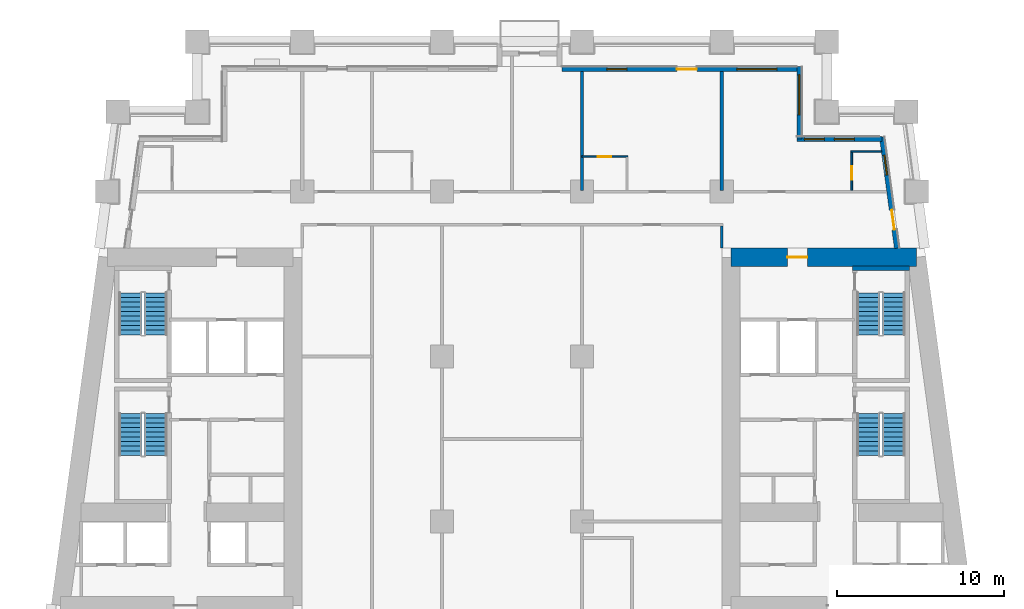
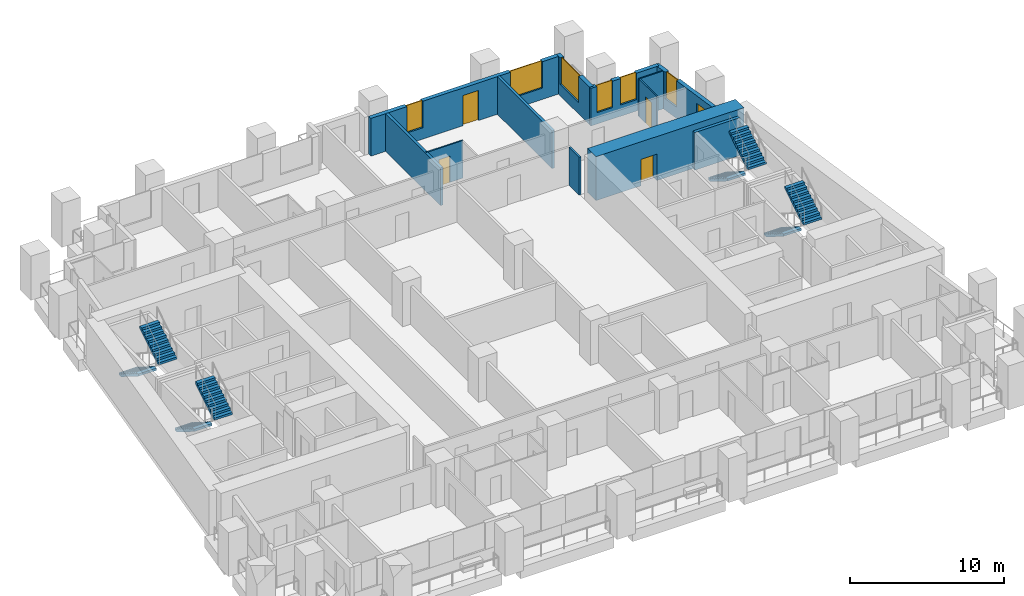
# One storey, part 7 of 12: 12 walls, 8 stair flights, 6 windows, 5 doors, 11 openings, 4 elements without a shape of their own.
"""IFC4 building model written with IfcOpenShell, lengths in metres."""

from ifc_helpers import new_model, si_unit, direction, frame, frame_2d, origin, place, context, subcontext, project, spatial, polyline, rectangle, outline, extrude, material, layer, layer_set, type_object, element, fill, aggregate, save


model = new_model("IFC4")

# Units and contexts
model_context = context("Model", 3, precision=1e-05, world=origin(), true_north=direction((0.0, 1.0)))
body_context = subcontext(model_context, "Body", "Model", "MODEL_VIEW")
ifc_project = project(units=[si_unit("LENGTHUNIT", "METRE"), si_unit("AREAUNIT", "SQUARE_METRE"), si_unit("VOLUMEUNIT", "CUBIC_METRE"), si_unit("PLANEANGLEUNIT", "RADIAN"), si_unit("MASSUNIT", "GRAM", prefix="KILO")], contexts=[model_context])

# Site, building, storey
site_placement = place(None, origin())
site = spatial("IfcSite", under=ifc_project, at=site_placement, CompositionType="ELEMENT")
building_placement = place(site_placement, origin())
building = spatial("IfcBuilding", under=site, at=building_placement, Name="Candeia Pilgrim Tower and Theatre", CompositionType="ELEMENT")
storey_placement = place(building_placement, frame((0.0, 0.0, 77.5)))
storey = spatial("IfcBuildingStorey", under=building, at=storey_placement, Name="L17", CompositionType="ELEMENT", Elevation=77.5)

# Wall, opening, door
ifc_material_1 = material(Name="Concrete C80/95", Category="concrete")
ifc_layer_1 = layer(ifc_material_1, 1.10009765625)
ifc_layer_set_1 = layer_set([ifc_layer_1], Name="Core wall 1100 C80/95")
wall_type_1 = type_object("IfcWallType", Name="Core wall 1100 C80/95", PredefinedType="SHEAR", material=ifc_layer_set_1)
wall_1_placement = place(storey_placement, frame((126.550048828125, 131.85009765625, 0.0), z_axis=(0.0, 0.0, 1.0), x_axis=(1.0, 0.0, 0.0)))
wall_1 = element("IfcWall", 1, at=wall_1_placement, inside=storey, type_object=wall_type_1, Name="Core wall E1", PredefinedType="SHEAR", context=body_context, shape_type="SweptSolid", body=[
    extrude(rectangle(XDim=11.13818359375, YDim=1.10009765625, at=frame_2d((5.569091796875, 0.0))), origin(), (0.0, 0.0, 1.0), 3.5),
])
opening_1_placement = place(wall_1_placement, frame((3.386474609375, 0.0, 0.0)))
opening_1 = element("IfcOpeningElement", 2, at=opening_1_placement, cuts=wall_1, Name="Opening L17-D049", PredefinedType="OPENING", context=body_context, shape_type="SweptSolid", body=[
    extrude(rectangle(XDim=1.199951171875, YDim=2.10009765625, at=frame_2d((0.60009765625, 1.050048828125))), frame((0.0, 0.56005859375, 0.0), z_axis=(0.0, -1.0, 0.0), x_axis=(1.0, 0.0, 0.0)), (0.0, 0.0, 1.0), 1.1201171875),
])
ifc_material_2 = material(Name="Steel fire door set", Category="steel")
door_type_1 = type_object("IfcDoorType", Name="D-1200-FD60", OperationType="NOTDEFINED", PredefinedType="DOOR", material=ifc_material_2)
door_1_placement = place(opening_1_placement, origin())
door_1 = element("IfcDoor", 3, at=door_1_placement, inside=storey, type_object=door_type_1, Name="Door L17-D049", OperationType="SINGLE_SWING_RIGHT", OverallHeight=2.10009765625, OverallWidth=1.199951171875, PredefinedType="DOOR", context=body_context, shape_type="SweptSolid", body=[
    extrude(rectangle(XDim=1.199951171875, YDim=2.10009765625, at=frame_2d((0.60009765625, 1.050048828125))), frame((0.0, 0.02490234375, 0.0), z_axis=(0.0, -1.0, 0.0), x_axis=(1.0, 0.0, 0.0)), (0.0, 0.0, 1.0), 0.050048828125),
])
fill(opening_1, door_1)

# Wall, openings, door, window
ifc_material_3 = material(Name="Ceramic block masonry", Category="masonry")
ifc_layer_2 = layer(ifc_material_3, 0.300048828125)
ifc_layer_set_2 = layer_set([ifc_layer_2], Name="EW1 glazing-line wall 300")
wall_type_2 = type_object("IfcWallType", Name="EW1 glazing-line wall 300", PredefinedType="SOLIDWALL", material=ifc_layer_set_2)
wall_2_placement = place(storey_placement, frame((136.50439453125, 132.39990234375, 0.0), z_axis=(0.0, 0.0, 1.0), x_axis=(-0.133399697462, 0.99106231929, 0.0)))
wall_2 = element("IfcWall", 4, at=wall_2_placement, inside=storey, type_object=wall_type_2, Name="External wall L17-3.1", PredefinedType="SOLIDWALL", context=body_context, shape_type="SweptSolid", body=[
    extrude(rectangle(XDim=6.740478515625, YDim=0.300048828125, at=frame_2d((3.3701171875, 0.0))), origin(), (0.0, 0.0, 1.0), 3.0),
])
opening_2_placement = place(wall_2_placement, frame((1.115234375, 0.0, 0.0)))
opening_2 = element("IfcOpeningElement", 5, at=opening_2_placement, cuts=wall_2, Name="Opening L17-ED187", PredefinedType="OPENING", context=body_context, shape_type="SweptSolid", body=[
    extrude(rectangle(XDim=1.199951171875, YDim=2.39990234375, at=frame_2d((0.60009765625, 1.199951171875))), frame((0.0, 0.16015625, 0.0), z_axis=(0.0, -1.0, 0.0), x_axis=(1.0, 0.0, 0.0)), (0.0, 0.0, 1.0), 0.320068359375),
])
opening_3_placement = place(wall_2_placement, frame((4.435546875, 0.0, 0.89990234375)))
opening_3 = element("IfcOpeningElement", 6, at=opening_3_placement, cuts=wall_2, Name="Opening W-B", PredefinedType="OPENING", context=body_context, shape_type="SweptSolid", body=[
    extrude(rectangle(XDim=1.199951171875, YDim=2.10009765625, at=frame_2d((0.60009765625, 1.050048828125))), frame((0.0, 0.16015625, 0.0), z_axis=(0.0, -1.0, 0.0), x_axis=(1.0, 0.0, 0.0)), (0.0, 0.0, 1.0), 0.320068359375),
])
ifc_material_4 = material(Name="Aluminium framed glazed door", Category="aluminium")
door_type_2 = type_object("IfcDoorType", Name="Loggia door 1200x2400", OperationType="DOUBLE_DOOR_SINGLE_SWING", PredefinedType="DOOR", material=ifc_material_4)
door_2_placement = place(opening_2_placement, origin())
door_2 = element("IfcDoor", 7, at=door_2_placement, inside=storey, type_object=door_type_2, Name="Loggia door L17-ED187", OperationType="DOUBLE_DOOR_SINGLE_SWING", OverallHeight=2.39990234375, OverallWidth=1.199951171875, PredefinedType="DOOR", context=body_context, shape_type="SweptSolid", body=[
    extrude(rectangle(XDim=1.199951171875, YDim=2.39990234375, at=frame_2d((0.60009765625, 1.199951171875))), frame((0.0, 0.02490234375, 0.0), z_axis=(0.0, -1.0, 0.0), x_axis=(1.0, 0.0, 0.0)), (0.0, 0.0, 1.0), 0.050048828125),
])
fill(opening_2, door_2)
ifc_material_5 = material(Name="Aluminium framed double glazing", Category="aluminium")
window_type_1 = type_object("IfcWindowType", Name="W-B window 1200x2100", PartitioningType="SINGLE_PANEL", PredefinedType="WINDOW", material=ifc_material_5)
window_1_placement = place(opening_3_placement, origin())
window_1 = element("IfcWindow", 8, at=window_1_placement, inside=storey, type_object=window_type_1, Name="Window W-B L17", OverallHeight=2.10009765625, OverallWidth=1.199951171875, PartitioningType="SINGLE_PANEL", PredefinedType="WINDOW", context=body_context, shape_type="SweptSolid", body=[
    extrude(rectangle(XDim=1.199951171875, YDim=2.10009765625, at=frame_2d((0.60009765625, 1.050048828125))), frame((0.0, 0.030029296875, 0.0), z_axis=(0.0, -1.0, 0.0), x_axis=(1.0, 0.0, 0.0)), (0.0, 0.0, 1.0), 0.06005859375),
])
fill(opening_3, window_1)

# Wall, openings, windows
wall_3_placement = place(storey_placement, frame((135.62255859375, 138.949951171875, 0.0), z_axis=(0.0, 0.0, 1.0), x_axis=(-1.0, 0.0, 0.0)))
wall_3 = element("IfcWall", 9, at=wall_3_placement, inside=storey, type_object=wall_type_2, Name="External wall L17-4.0", PredefinedType="SOLIDWALL", context=body_context, shape_type="SweptSolid", body=[
    extrude(rectangle(XDim=5.12255859375, YDim=0.300048828125, at=frame_2d((2.561279296875, 0.0))), origin(), (0.0, 0.0, 1.0), 3.0),
])
opening_4_placement = place(wall_3_placement, frame((1.672607421875, 0.0, 0.89990234375)))
opening_4 = element("IfcOpeningElement", 10, at=opening_4_placement, cuts=wall_3, Name="Opening W-B", PredefinedType="OPENING", context=body_context, shape_type="SweptSolid", body=[
    extrude(rectangle(XDim=1.199951171875, YDim=2.10009765625, at=frame_2d((0.60009765625, 1.050048828125))), frame((0.0, 0.16015625, 0.0), z_axis=(0.0, -1.0, 0.0), x_axis=(1.0, 0.0, 0.0)), (0.0, 0.0, 1.0), 0.320068359375),
])
opening_5_placement = place(wall_3_placement, frame((3.47265625, 0.0, 0.89990234375)))
opening_5 = element("IfcOpeningElement", 11, at=opening_5_placement, cuts=wall_3, Name="Opening W-B", PredefinedType="OPENING", context=body_context, shape_type="SweptSolid", body=[
    extrude(rectangle(XDim=1.199951171875, YDim=2.10009765625, at=frame_2d((0.60009765625, 1.050048828125))), frame((0.0, 0.16015625, 0.0), z_axis=(0.0, -1.0, 0.0), x_axis=(1.0, 0.0, 0.0)), (0.0, 0.0, 1.0), 0.320068359375),
])
window_2_placement = place(opening_4_placement, origin())
window_2 = element("IfcWindow", 12, at=window_2_placement, inside=storey, type_object=window_type_1, Name="Window W-B L17", OverallHeight=2.10009765625, OverallWidth=1.199951171875, PartitioningType="SINGLE_PANEL", PredefinedType="WINDOW", context=body_context, shape_type="SweptSolid", body=[
    extrude(rectangle(XDim=1.199951171875, YDim=2.10009765625, at=frame_2d((0.60009765625, 1.050048828125))), frame((0.0, 0.030029296875, 0.0), z_axis=(0.0, -1.0, 0.0), x_axis=(1.0, 0.0, 0.0)), (0.0, 0.0, 1.0), 0.06005859375),
])
fill(opening_4, window_2)
window_3_placement = place(opening_5_placement, origin())
window_3 = element("IfcWindow", 13, at=window_3_placement, inside=storey, type_object=window_type_1, Name="Window W-B L17", OverallHeight=2.10009765625, OverallWidth=1.199951171875, PartitioningType="SINGLE_PANEL", PredefinedType="WINDOW", context=body_context, shape_type="SweptSolid", body=[
    extrude(rectangle(XDim=1.199951171875, YDim=2.10009765625, at=frame_2d((0.60009765625, 1.050048828125))), frame((0.0, 0.030029296875, 0.0), z_axis=(0.0, -1.0, 0.0), x_axis=(1.0, 0.0, 0.0)), (0.0, 0.0, 1.0), 0.06005859375),
])
fill(opening_5, window_3)

# Wall, opening, window
wall_4_placement = place(storey_placement, frame((130.64990234375, 138.949951171875, 0.0), z_axis=(0.0, 0.0, 1.0), x_axis=(0.0, 1.0, 0.0)))
wall_4 = element("IfcWall", 14, at=wall_4_placement, inside=storey, type_object=wall_type_2, Name="External wall L17-5.0", PredefinedType="SOLIDWALL", context=body_context, shape_type="SweptSolid", body=[
    extrude(rectangle(XDim=4.35009765625, YDim=0.300048828125, at=frame_2d((2.175048828125, 0.0))), origin(), (0.0, 0.0, 1.0), 3.0),
])
opening_6_placement = place(wall_4_placement, frame((1.449951171875, 0.0, 0.89990234375)))
opening_6 = element("IfcOpeningElement", 15, at=opening_6_placement, cuts=wall_4, Name="Opening W-A", PredefinedType="OPENING", context=body_context, shape_type="SweptSolid", body=[
    extrude(rectangle(XDim=2.39990234375, YDim=2.10009765625, at=frame_2d((1.199951171875, 1.050048828125))), frame((0.0, 0.16015625, 0.0), z_axis=(0.0, -1.0, 0.0), x_axis=(1.0, 0.0, 0.0)), (0.0, 0.0, 1.0), 0.320068359375),
])
window_type_2 = type_object("IfcWindowType", Name="W-A window 2400x2100", PartitioningType="DOUBLE_PANEL_VERTICAL", PredefinedType="WINDOW", material=ifc_material_5)
window_4_placement = place(opening_6_placement, origin())
window_4 = element("IfcWindow", 16, at=window_4_placement, inside=storey, type_object=window_type_2, Name="Window W-A L17", OverallHeight=2.10009765625, OverallWidth=2.39990234375, PartitioningType="SINGLE_PANEL", PredefinedType="WINDOW", context=body_context, shape_type="SweptSolid", body=[
    extrude(rectangle(XDim=2.39990234375, YDim=2.10009765625, at=frame_2d((1.199951171875, 1.050048828125))), frame((0.0, 0.030029296875, 0.0), z_axis=(0.0, -1.0, 0.0), x_axis=(1.0, 0.0, 0.0)), (0.0, 0.0, 1.0), 0.06005859375),
])
fill(opening_6, window_4)

# Wall, openings, door, windows
wall_5_placement = place(storey_placement, frame((130.64990234375, 143.14990234375, 0.0), z_axis=(0.0, 0.0, 1.0), x_axis=(-1.0, 0.0, 0.0)))
wall_5 = element("IfcWall", 17, at=wall_5_placement, inside=storey, type_object=wall_type_2, Name="External wall L17-6.0", PredefinedType="SOLIDWALL", context=body_context, shape_type="SweptSolid", body=[
    extrude(rectangle(XDim=14.25, YDim=0.300048828125, at=frame_2d((7.125, 0.0))), origin(), (0.0, 0.0, 1.0), 3.0),
])
opening_7_placement = place(wall_5_placement, frame((1.35009765625, 0.0, 0.89990234375)))
opening_7 = element("IfcOpeningElement", 18, at=opening_7_placement, cuts=wall_5, Name="Opening W-A", PredefinedType="OPENING", context=body_context, shape_type="SweptSolid", body=[
    extrude(rectangle(XDim=2.39990234375, YDim=2.10009765625, at=frame_2d((1.199951171875, 1.050048828125))), frame((0.0, 0.16015625, 0.0), z_axis=(0.0, -1.0, 0.0), x_axis=(1.0, 0.0, 0.0)), (0.0, 0.0, 1.0), 0.320068359375),
])
opening_8_placement = place(wall_5_placement, frame((6.14990234375, 0.0, 0.0)))
opening_8 = element("IfcOpeningElement", 19, at=opening_8_placement, cuts=wall_5, Name="Opening L17-ED188", PredefinedType="OPENING", context=body_context, shape_type="SweptSolid", body=[
    extrude(rectangle(XDim=1.199951171875, YDim=2.39990234375, at=frame_2d((0.60009765625, 1.199951171875))), frame((0.0, 0.16015625, 0.0), z_axis=(0.0, -1.0, 0.0), x_axis=(1.0, 0.0, 0.0)), (0.0, 0.0, 1.0), 0.320068359375),
])
opening_9_placement = place(wall_5_placement, frame((10.35009765625, 0.0, 0.89990234375)))
opening_9 = element("IfcOpeningElement", 20, at=opening_9_placement, cuts=wall_5, Name="Opening W-B", PredefinedType="OPENING", context=body_context, shape_type="SweptSolid", body=[
    extrude(rectangle(XDim=1.199951171875, YDim=2.10009765625, at=frame_2d((0.60009765625, 1.050048828125))), frame((0.0, 0.16015625, 0.0), z_axis=(0.0, -1.0, 0.0), x_axis=(1.0, 0.0, 0.0)), (0.0, 0.0, 1.0), 0.320068359375),
])
door_3_placement = place(opening_8_placement, origin())
door_3 = element("IfcDoor", 21, at=door_3_placement, inside=storey, type_object=door_type_2, Name="Loggia door L17-ED188", OperationType="DOUBLE_DOOR_SINGLE_SWING", OverallHeight=2.39990234375, OverallWidth=1.199951171875, PredefinedType="DOOR", context=body_context, shape_type="SweptSolid", body=[
    extrude(rectangle(XDim=1.199951171875, YDim=2.39990234375, at=frame_2d((0.60009765625, 1.199951171875))), frame((0.0, 0.02490234375, 0.0), z_axis=(0.0, -1.0, 0.0), x_axis=(1.0, 0.0, 0.0)), (0.0, 0.0, 1.0), 0.050048828125),
])
fill(opening_8, door_3)
window_5_placement = place(opening_7_placement, origin())
window_5 = element("IfcWindow", 22, at=window_5_placement, inside=storey, type_object=window_type_2, Name="Window W-A L17", OverallHeight=2.10009765625, OverallWidth=2.39990234375, PartitioningType="SINGLE_PANEL", PredefinedType="WINDOW", context=body_context, shape_type="SweptSolid", body=[
    extrude(rectangle(XDim=2.39990234375, YDim=2.10009765625, at=frame_2d((1.199951171875, 1.050048828125))), frame((0.0, 0.030029296875, 0.0), z_axis=(0.0, -1.0, 0.0), x_axis=(1.0, 0.0, 0.0)), (0.0, 0.0, 1.0), 0.06005859375),
])
fill(opening_7, window_5)
window_6_placement = place(opening_9_placement, origin())
window_6 = element("IfcWindow", 23, at=window_6_placement, inside=storey, type_object=window_type_1, Name="Window W-B L17", OverallHeight=2.10009765625, OverallWidth=1.199951171875, PartitioningType="SINGLE_PANEL", PredefinedType="WINDOW", context=body_context, shape_type="SweptSolid", body=[
    extrude(rectangle(XDim=1.199951171875, YDim=2.10009765625, at=frame_2d((0.60009765625, 1.050048828125))), frame((0.0, 0.030029296875, 0.0), z_axis=(0.0, -1.0, 0.0), x_axis=(1.0, 0.0, 0.0)), (0.0, 0.0, 1.0), 0.06005859375),
])
fill(opening_9, window_6)

# Wall, opening, door
ifc_material_6 = material(Name="Gypsum board partition on steel studs", Category="steel")
ifc_layer_3 = layer(ifc_material_6, 0.10009765625)
ifc_layer_set_3 = layer_set([ifc_layer_3], Name="PW-100 room partition")
wall_type_3 = type_object("IfcWallType", Name="PW-100 room partition", PredefinedType="PARTITIONING", material=ifc_layer_set_3)
wall_6_placement = place(storey_placement, frame((117.60009765625, 137.89990234375, 0.0), z_axis=(0.0, 0.0, 1.0), x_axis=(1.0, 0.0, 0.0)))
wall_6 = element("IfcWall", 24, at=wall_6_placement, inside=storey, type_object=wall_type_3, Name="Room partition L17-039", PredefinedType="PARTITIONING", context=body_context, shape_type="SweptSolid", body=[
    extrude(rectangle(XDim=2.75, YDim=0.10009765625, at=frame_2d((1.375, 0.0))), origin(), (0.0, 0.0, 1.0), 3.0),
])
opening_10_placement = place(wall_6_placement, frame((0.949951171875, 0.0, 0.0)))
opening_10 = element("IfcOpeningElement", 25, at=opening_10_placement, cuts=wall_6, Name="Opening L17-D035", PredefinedType="OPENING", context=body_context, shape_type="SweptSolid", body=[
    extrude(rectangle(XDim=0.800048828125, YDim=2.10009765625, at=frame_2d((0.39990234375, 1.050048828125))), frame((0.0, 0.06005859375, 0.0), z_axis=(0.0, -1.0, 0.0), x_axis=(1.0, 0.0, 0.0)), (0.0, 0.0, 1.0), 0.1201171875),
])
ifc_material_7 = material(Name="Timber door leaf", Category="wood")
door_type_3 = type_object("IfcDoorType", Name="D-800", OperationType="NOTDEFINED", PredefinedType="DOOR", material=ifc_material_7)
door_4_placement = place(opening_10_placement, origin())
door_4 = element("IfcDoor", 26, at=door_4_placement, inside=storey, type_object=door_type_3, Name="Door L17-D035", OperationType="SINGLE_SWING_RIGHT", OverallHeight=2.10009765625, OverallWidth=0.800048828125, PredefinedType="DOOR", context=body_context, shape_type="SweptSolid", body=[
    extrude(rectangle(XDim=0.800048828125, YDim=2.10009765625, at=frame_2d((0.39990234375, 1.050048828125))), frame((0.0, 0.02490234375, 0.0), z_axis=(0.0, -1.0, 0.0), x_axis=(1.0, 0.0, 0.0)), (0.0, 0.0, 1.0), 0.050048828125),
])
fill(opening_10, door_4)

# Wall
wall_7_placement = place(storey_placement, frame((133.75, 138.199951171875, 0.0), z_axis=(0.0, 0.0, 1.0), x_axis=(1.0, 0.0, 0.0)))
element("IfcWall", 27, at=wall_7_placement, inside=storey, type_object=wall_type_3, Name="Room partition L17-041", PredefinedType="PARTITIONING", context=body_context, shape_type="SweptSolid", body=[
    extrude(rectangle(XDim=1.832275390625, YDim=0.10009765625, at=frame_2d((0.916015625, 0.0))), origin(), (0.0, 0.0, 1.0), 3.0),
])

# Wall, opening, door
wall_8_placement = place(storey_placement, frame((133.800048828125, 135.875, 0.0), z_axis=(0.0, 0.0, 1.0), x_axis=(0.0, 1.0, 0.0)))
wall_8 = element("IfcWall", 28, at=wall_8_placement, inside=storey, type_object=wall_type_3, Name="Room partition L17-093", PredefinedType="PARTITIONING", context=body_context, shape_type="SweptSolid", body=[
    extrude(rectangle(XDim=2.27490234375, YDim=0.10009765625, at=frame_2d((1.137451171875, 0.0))), origin(), (0.0, 0.0, 1.0), 3.0),
])
opening_11_placement = place(wall_8_placement, frame((0.635009765625, 0.0, 0.0)))
opening_11 = element("IfcOpeningElement", 29, at=opening_11_placement, cuts=wall_8, Name="Opening L17-D037", PredefinedType="OPENING", context=body_context, shape_type="SweptSolid", body=[
    extrude(rectangle(XDim=0.800048828125, YDim=2.10009765625, at=frame_2d((0.39990234375, 1.050048828125))), frame((0.0, 0.06005859375, 0.0), z_axis=(0.0, -1.0, 0.0), x_axis=(1.0, 0.0, 0.0)), (0.0, 0.0, 1.0), 0.1201171875),
])
door_5_placement = place(opening_11_placement, origin())
door_5 = element("IfcDoor", 30, at=door_5_placement, inside=storey, type_object=door_type_3, Name="Door L17-D037", OperationType="SINGLE_SWING_RIGHT", OverallHeight=2.10009765625, OverallWidth=0.800048828125, PredefinedType="DOOR", context=body_context, shape_type="SweptSolid", body=[
    extrude(rectangle(XDim=0.800048828125, YDim=2.10009765625, at=frame_2d((0.39990234375, 1.050048828125))), frame((0.0, 0.02490234375, 0.0), z_axis=(0.0, -1.0, 0.0), x_axis=(1.0, 0.0, 0.0)), (0.0, 0.0, 1.0), 0.050048828125),
])
fill(opening_11, door_5)

# Walls
ifc_layer_4 = layer(ifc_material_6, 0.14990234375)
ifc_layer_set_4 = layer_set([ifc_layer_4], Name="PW-150 unit wall")
wall_type_4 = type_object("IfcWallType", Name="PW-150 unit wall", PredefinedType="PARTITIONING", material=ifc_layer_set_4)
wall_9_placement = place(storey_placement, frame((126.0, 132.39990234375, 0.0), z_axis=(0.0, 0.0, 1.0), x_axis=(0.0, 1.0, 0.0)))
element("IfcWall", 31, at=wall_9_placement, inside=storey, type_object=wall_type_4, Name="Unit wall L17-085", PredefinedType="PARTITIONING", context=body_context, shape_type="SweptSolid", body=[
    extrude(rectangle(XDim=1.3251953125, YDim=0.14990234375, at=frame_2d((0.66259765625, 0.0))), origin(), (0.0, 0.0, 1.0), 3.0),
])
ifc_layer_5 = layer(ifc_material_6, 0.199951171875)
ifc_layer_set_5 = layer_set([ifc_layer_5], Name="PW-200 party wall")
wall_type_5 = type_object("IfcWallType", Name="PW-200 party wall", PredefinedType="PARTITIONING", material=ifc_layer_set_5)
for number, where, z_axis, x_axis, name in (
    (32, (117.60009765625, 135.875, 0.0), (0.0, 0.0, 1.0), (0.0, 1.0, 0.0), "Party wall L17-077"),
    (33, (126.0, 135.875, 0.0), (0.0, 0.0, 1.0), (0.0, 1.0, 0.0), "Party wall L17-083"),
):
    element("IfcWall", number, at=place(storey_placement, frame(where, z_axis=z_axis, x_axis=x_axis)), inside=storey, type_object=wall_type_5, Name=name, PredefinedType="PARTITIONING", context=body_context, shape_type="SweptSolid", body=[
        extrude(rectangle(XDim=7.135009765625, YDim=0.199951171875, at=frame_2d((3.5673828125, 0.0))), origin(), (0.0, 0.0, 1.0), 3.0),
    ])
ifc_material_8 = material(Name="Concrete C40/50", Category="concrete")
ifc_layer_6 = layer(ifc_material_8, 0.25)
ifc_layer_set_6 = layer_set([ifc_layer_6], Name="SW-250 stair wall")
wall_type_6 = type_object("IfcWallType", Name="SW-250 stair wall", PredefinedType="PARTITIONING", material=ifc_layer_set_6)
wall_10_placement = place(storey_placement, frame((133.847900390625, 131.199951171875, 0.0), z_axis=(0.0, 0.0, 1.0), x_axis=(1.0, 0.0, 0.0)))
element("IfcWall", 34, at=wall_10_placement, inside=storey, type_object=wall_type_6, Name="Stair wall L17-036", PredefinedType="PARTITIONING", context=body_context, shape_type="SweptSolid", body=[
    extrude(rectangle(XDim=3.400146484375, YDim=0.25, at=frame_2d((1.7001953125, 0.0))), origin(), (0.0, 0.0, 1.0), 3.0),
])

# Stair, stair flights
stair_type = type_object("IfcStairType", Name="ST-TWR dog-leg escape stair", PredefinedType="HALF_TURN_STAIR", material=ifc_material_8)
stair_1_placement = place(storey_placement, origin())
stair_1 = element("IfcStair", 35, at=stair_1_placement, inside=storey, type_object=stair_type, Name="L17 Escape stair ST1", PredefinedType="HALF_TURN_STAIR")
stair_flight_type = type_object("IfcStairFlightType", Name="SFL-RC stair flight", PredefinedType="STRAIGHT", material=ifc_material_8)
stair_flight_1_placement = place(storey_placement, frame((90.47705078125, 122.47509765625, 0.0), z_axis=(0.0, 0.0, 1.0), x_axis=(0.0, -1.0, 0.0)))
stair_flight_1 = element("IfcStairFlight", 36, at=stair_flight_1_placement, type_object=stair_flight_type, Name="ST1 flight 1", NumberOfRisers=10, NumberOfTreads=9, PredefinedType="STRAIGHT", RiserHeight=0.175, TreadLength=0.28, context=body_context, shape_type="SweptSolid", body=[
    extrude(outline(polyline([(0.0, 0.0), (0.0, 0.175048828125), (0.280029296875, 0.175048828125), (0.280029296875, 0.35009765625), (0.56005859375, 0.35009765625), (0.56005859375, 0.52490234375), (0.840087890625, 0.52490234375), (0.840087890625, 0.699951171875), (1.1201171875, 0.699951171875), (1.1201171875, 0.875), (1.39990234375, 0.875), (1.39990234375, 1.050048828125), (1.679931640625, 1.050048828125), (1.679931640625, 1.22509765625), (1.9599609375, 1.22509765625), (1.9599609375, 1.39990234375), (2.239990234375, 1.39990234375), (2.239990234375, 1.574951171875), (2.52001953125, 1.574951171875), (2.52001953125, 1.75), (2.52001953125, 1.398193359375), (0.28271484375, 0.0), (0.0, 0.0)])), frame((0.0, 0.675048828125, 0.0), z_axis=(0.0, -1.0, 0.0), x_axis=(1.0, 0.0, 0.0)), (0.0, 0.0, 1.0), 1.35009765625),
])
stair_flight_2_placement = place(storey_placement, frame((92.027099609375, 119.955078125, 1.75), z_axis=(0.0, 0.0, 1.0), x_axis=(0.0, 1.0, 0.0)))
stair_flight_2 = element("IfcStairFlight", 37, at=stair_flight_2_placement, type_object=stair_flight_type, Name="ST1 flight 2", NumberOfRisers=10, NumberOfTreads=9, PredefinedType="STRAIGHT", RiserHeight=0.175, TreadLength=0.28, context=body_context, shape_type="SweptSolid", body=[
    extrude(outline(polyline([(0.0, 0.0), (0.0, 0.175048828125), (0.280029296875, 0.175048828125), (0.280029296875, 0.35009765625), (0.56005859375, 0.35009765625), (0.56005859375, 0.52490234375), (0.840087890625, 0.52490234375), (0.840087890625, 0.699951171875), (1.1201171875, 0.699951171875), (1.1201171875, 0.875), (1.39990234375, 0.875), (1.39990234375, 1.050048828125), (1.679931640625, 1.050048828125), (1.679931640625, 1.22509765625), (1.9599609375, 1.22509765625), (1.9599609375, 1.39990234375), (2.239990234375, 1.39990234375), (2.239990234375, 1.574951171875), (2.52001953125, 1.574951171875), (2.52001953125, 1.75), (2.52001953125, 1.398193359375), (0.28271484375, 0.0), (0.0, 0.0)])), frame((0.0, 0.675048828125, 0.0), z_axis=(0.0, -1.0, 0.0), x_axis=(1.0, 0.0, 0.0)), (0.0, 0.0, 1.0), 1.35009765625),
])
aggregate(stair_1, [stair_flight_1, stair_flight_2])

stair_2_placement = place(storey_placement, origin())
stair_2 = element("IfcStair", 38, at=stair_2_placement, inside=storey, type_object=stair_type, Name="L17 Escape stair ST2", PredefinedType="HALF_TURN_STAIR")
stair_flight_3_placement = place(storey_placement, frame((90.47705078125, 129.72509765625, 0.0), z_axis=(0.0, 0.0, 1.0), x_axis=(0.0, -1.0, 0.0)))
stair_flight_3 = element("IfcStairFlight", 39, at=stair_flight_3_placement, type_object=stair_flight_type, Name="ST2 flight 1", NumberOfRisers=10, NumberOfTreads=9, PredefinedType="STRAIGHT", RiserHeight=0.175, TreadLength=0.28, context=body_context, shape_type="SweptSolid", body=[
    extrude(outline(polyline([(0.0, 0.0), (0.0, 0.175048828125), (0.280029296875, 0.175048828125), (0.280029296875, 0.35009765625), (0.56005859375, 0.35009765625), (0.56005859375, 0.52490234375), (0.840087890625, 0.52490234375), (0.840087890625, 0.699951171875), (1.1201171875, 0.699951171875), (1.1201171875, 0.875), (1.39990234375, 0.875), (1.39990234375, 1.050048828125), (1.679931640625, 1.050048828125), (1.679931640625, 1.22509765625), (1.9599609375, 1.22509765625), (1.9599609375, 1.39990234375), (2.239990234375, 1.39990234375), (2.239990234375, 1.574951171875), (2.52001953125, 1.574951171875), (2.52001953125, 1.75), (2.52001953125, 1.398193359375), (0.28271484375, 0.0), (0.0, 0.0)])), frame((0.0, 0.675048828125, 0.0), z_axis=(0.0, -1.0, 0.0), x_axis=(1.0, 0.0, 0.0)), (0.0, 0.0, 1.0), 1.35009765625),
])
stair_flight_4_placement = place(storey_placement, frame((92.027099609375, 127.205078125, 1.75), z_axis=(0.0, 0.0, 1.0), x_axis=(0.0, 1.0, 0.0)))
stair_flight_4 = element("IfcStairFlight", 40, at=stair_flight_4_placement, type_object=stair_flight_type, Name="ST2 flight 2", NumberOfRisers=10, NumberOfTreads=9, PredefinedType="STRAIGHT", RiserHeight=0.175, TreadLength=0.28, context=body_context, shape_type="SweptSolid", body=[
    extrude(outline(polyline([(0.0, 0.0), (0.0, 0.175048828125), (0.280029296875, 0.175048828125), (0.280029296875, 0.35009765625), (0.56005859375, 0.35009765625), (0.56005859375, 0.52490234375), (0.840087890625, 0.52490234375), (0.840087890625, 0.699951171875), (1.1201171875, 0.699951171875), (1.1201171875, 0.875), (1.39990234375, 0.875), (1.39990234375, 1.050048828125), (1.679931640625, 1.050048828125), (1.679931640625, 1.22509765625), (1.9599609375, 1.22509765625), (1.9599609375, 1.39990234375), (2.239990234375, 1.39990234375), (2.239990234375, 1.574951171875), (2.52001953125, 1.574951171875), (2.52001953125, 1.75), (2.52001953125, 1.398193359375), (0.28271484375, 0.0), (0.0, 0.0)])), frame((0.0, 0.675048828125, 0.0), z_axis=(0.0, -1.0, 0.0), x_axis=(1.0, 0.0, 0.0)), (0.0, 0.0, 1.0), 1.35009765625),
])
aggregate(stair_2, [stair_flight_3, stair_flight_4])

stair_3_placement = place(storey_placement, origin())
stair_3 = element("IfcStair", 41, at=stair_3_placement, inside=storey, type_object=stair_type, Name="L17 Escape stair ST3", PredefinedType="HALF_TURN_STAIR")
stair_flight_5_placement = place(storey_placement, frame((134.77294921875, 122.47509765625, 0.0), z_axis=(0.0, 0.0, 1.0), x_axis=(0.0, -1.0, 0.0)))
stair_flight_5 = element("IfcStairFlight", 42, at=stair_flight_5_placement, type_object=stair_flight_type, Name="ST3 flight 1", NumberOfRisers=10, NumberOfTreads=9, PredefinedType="STRAIGHT", RiserHeight=0.175, TreadLength=0.28, context=body_context, shape_type="SweptSolid", body=[
    extrude(outline(polyline([(0.0, 0.0), (0.0, 0.175048828125), (0.280029296875, 0.175048828125), (0.280029296875, 0.35009765625), (0.56005859375, 0.35009765625), (0.56005859375, 0.52490234375), (0.840087890625, 0.52490234375), (0.840087890625, 0.699951171875), (1.1201171875, 0.699951171875), (1.1201171875, 0.875), (1.39990234375, 0.875), (1.39990234375, 1.050048828125), (1.679931640625, 1.050048828125), (1.679931640625, 1.22509765625), (1.9599609375, 1.22509765625), (1.9599609375, 1.39990234375), (2.239990234375, 1.39990234375), (2.239990234375, 1.574951171875), (2.52001953125, 1.574951171875), (2.52001953125, 1.75), (2.52001953125, 1.398193359375), (0.28271484375, 0.0), (0.0, 0.0)])), frame((0.0, 0.675048828125, 0.0), z_axis=(0.0, -1.0, 0.0), x_axis=(1.0, 0.0, 0.0)), (0.0, 0.0, 1.0), 1.35009765625),
])
stair_flight_6_placement = place(storey_placement, frame((136.322998046875, 119.955078125, 1.75), z_axis=(0.0, 0.0, 1.0), x_axis=(0.0, 1.0, 0.0)))
stair_flight_6 = element("IfcStairFlight", 43, at=stair_flight_6_placement, type_object=stair_flight_type, Name="ST3 flight 2", NumberOfRisers=10, NumberOfTreads=9, PredefinedType="STRAIGHT", RiserHeight=0.175, TreadLength=0.28, context=body_context, shape_type="SweptSolid", body=[
    extrude(outline(polyline([(0.0, 0.0), (0.0, 0.175048828125), (0.280029296875, 0.175048828125), (0.280029296875, 0.35009765625), (0.56005859375, 0.35009765625), (0.56005859375, 0.52490234375), (0.840087890625, 0.52490234375), (0.840087890625, 0.699951171875), (1.1201171875, 0.699951171875), (1.1201171875, 0.875), (1.39990234375, 0.875), (1.39990234375, 1.050048828125), (1.679931640625, 1.050048828125), (1.679931640625, 1.22509765625), (1.9599609375, 1.22509765625), (1.9599609375, 1.39990234375), (2.239990234375, 1.39990234375), (2.239990234375, 1.574951171875), (2.52001953125, 1.574951171875), (2.52001953125, 1.75), (2.52001953125, 1.398193359375), (0.28271484375, 0.0), (0.0, 0.0)])), frame((0.0, 0.675048828125, 0.0), z_axis=(0.0, -1.0, 0.0), x_axis=(1.0, 0.0, 0.0)), (0.0, 0.0, 1.0), 1.35009765625),
])
aggregate(stair_3, [stair_flight_5, stair_flight_6])

stair_4_placement = place(storey_placement, origin())
stair_4 = element("IfcStair", 44, at=stair_4_placement, inside=storey, type_object=stair_type, Name="L17 Escape stair ST4", PredefinedType="HALF_TURN_STAIR")
stair_flight_7_placement = place(storey_placement, frame((134.77294921875, 129.72509765625, 0.0), z_axis=(0.0, 0.0, 1.0), x_axis=(0.0, -1.0, 0.0)))
stair_flight_7 = element("IfcStairFlight", 45, at=stair_flight_7_placement, type_object=stair_flight_type, Name="ST4 flight 1", NumberOfRisers=10, NumberOfTreads=9, PredefinedType="STRAIGHT", RiserHeight=0.175, TreadLength=0.28, context=body_context, shape_type="SweptSolid", body=[
    extrude(outline(polyline([(0.0, 0.0), (0.0, 0.175048828125), (0.280029296875, 0.175048828125), (0.280029296875, 0.35009765625), (0.56005859375, 0.35009765625), (0.56005859375, 0.52490234375), (0.840087890625, 0.52490234375), (0.840087890625, 0.699951171875), (1.1201171875, 0.699951171875), (1.1201171875, 0.875), (1.39990234375, 0.875), (1.39990234375, 1.050048828125), (1.679931640625, 1.050048828125), (1.679931640625, 1.22509765625), (1.9599609375, 1.22509765625), (1.9599609375, 1.39990234375), (2.239990234375, 1.39990234375), (2.239990234375, 1.574951171875), (2.52001953125, 1.574951171875), (2.52001953125, 1.75), (2.52001953125, 1.398193359375), (0.28271484375, 0.0), (0.0, 0.0)])), frame((0.0, 0.675048828125, 0.0), z_axis=(0.0, -1.0, 0.0), x_axis=(1.0, 0.0, 0.0)), (0.0, 0.0, 1.0), 1.35009765625),
])
stair_flight_8_placement = place(storey_placement, frame((136.322998046875, 127.205078125, 1.75), z_axis=(0.0, 0.0, 1.0), x_axis=(0.0, 1.0, 0.0)))
stair_flight_8 = element("IfcStairFlight", 46, at=stair_flight_8_placement, type_object=stair_flight_type, Name="ST4 flight 2", NumberOfRisers=10, NumberOfTreads=9, PredefinedType="STRAIGHT", RiserHeight=0.175, TreadLength=0.28, context=body_context, shape_type="SweptSolid", body=[
    extrude(outline(polyline([(0.0, 0.0), (0.0, 0.175048828125), (0.280029296875, 0.175048828125), (0.280029296875, 0.35009765625), (0.56005859375, 0.35009765625), (0.56005859375, 0.52490234375), (0.840087890625, 0.52490234375), (0.840087890625, 0.699951171875), (1.1201171875, 0.699951171875), (1.1201171875, 0.875), (1.39990234375, 0.875), (1.39990234375, 1.050048828125), (1.679931640625, 1.050048828125), (1.679931640625, 1.22509765625), (1.9599609375, 1.22509765625), (1.9599609375, 1.39990234375), (2.239990234375, 1.39990234375), (2.239990234375, 1.574951171875), (2.52001953125, 1.574951171875), (2.52001953125, 1.75), (2.52001953125, 1.398193359375), (0.28271484375, 0.0), (0.0, 0.0)])), frame((0.0, 0.675048828125, 0.0), z_axis=(0.0, -1.0, 0.0), x_axis=(1.0, 0.0, 0.0)), (0.0, 0.0, 1.0), 1.35009765625),
])
aggregate(stair_4, [stair_flight_7, stair_flight_8])

save(model, "model.ifc")
